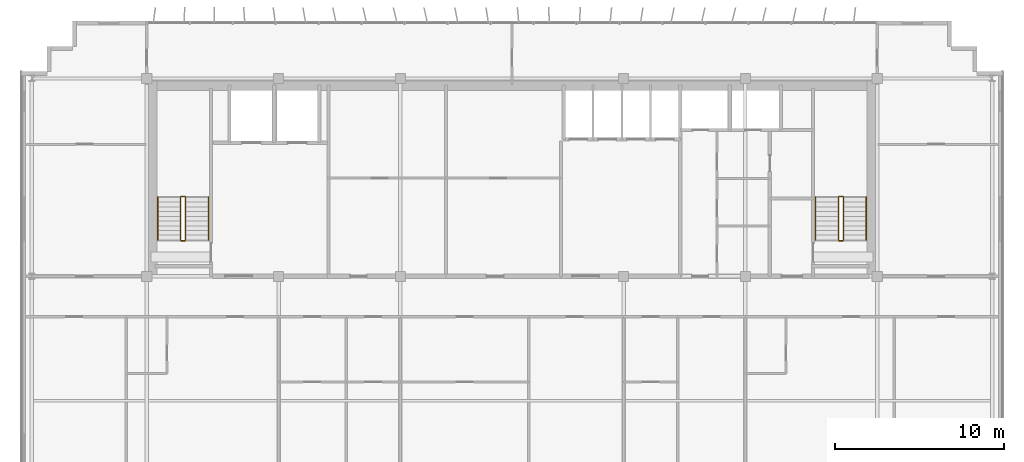
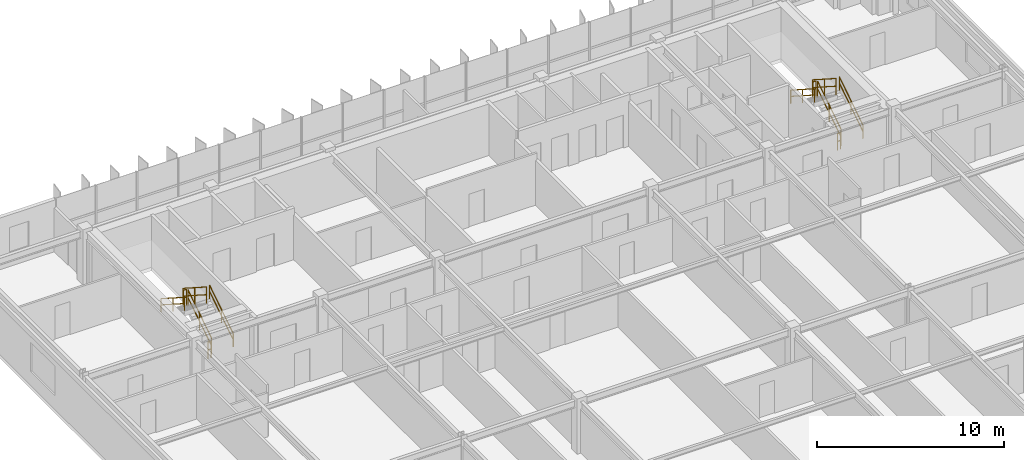
# One storey, part 22 of 22: 12 railings.
"""IFC4 building model written with IfcOpenShell, lengths in metres."""

from ifc_helpers import new_model, si_unit, direction, frame, origin, origin_2d, place, context, subcontext, project, spatial, rectangle, extrude, material, type_object, element, save


model = new_model("IFC4")

# Units and contexts
model_context = context("Model", 3, precision=1e-05, world=origin(), true_north=direction((0.0, 1.0)))
body_context = subcontext(model_context, "Body", "Model", "MODEL_VIEW")
ifc_project = project(units=[si_unit("LENGTHUNIT", "METRE"), si_unit("AREAUNIT", "SQUARE_METRE"), si_unit("VOLUMEUNIT", "CUBIC_METRE"), si_unit("PLANEANGLEUNIT", "RADIAN"), si_unit("MASSUNIT", "GRAM", prefix="KILO")], contexts=[model_context])

# Site, building, storey
site_placement = place(None, origin())
site = spatial("IfcSite", under=ifc_project, at=site_placement, CompositionType="ELEMENT")
building_placement = place(site_placement, origin())
building = spatial("IfcBuilding", under=site, at=building_placement, Name="Trelvane Seafront Commons", CompositionType="ELEMENT")
storey_placement = place(building_placement, frame((0.0, 0.0, 284.699951171875)))
storey = spatial("IfcBuildingStorey", under=building, at=storey_placement, Name="L74", CompositionType="ELEMENT", Elevation=284.699951171875)

# Railings
ifc_material = material(Name="Stainless steel balustrade", Category="steel")
railing_type_1 = type_object("IfcRailingType", Name="ARCH-SRL-GUARD", PredefinedType="GUARDRAIL", material=ifc_material)
railing_1_placement = place(storey_placement, frame((17.89990234375, 35.550048828125, 0.179931640625)))
element("IfcRailing", 1, at=railing_1_placement, inside=storey, type_object=railing_type_1, Name="L74 ST-1 stair guard 1", PredefinedType="GUARDRAIL", context=body_context, shape_type="SweptSolid", body=[
    extrude(rectangle(XDim=0.048095703125, YDim=0.048095703125, at=origin_2d()), frame((0.0, 0.0, 1.076171875), z_axis=(0.0, 0.841162588446, 0.540782303519), x_axis=(-1.0, 0.0, 0.0)), (0.0, 0.0, 1.0), 2.995849609375),
    extrude(rectangle(XDim=0.048095703125, YDim=0.048095703125, at=origin_2d()), frame((0.0, 0.0, 0.572021484375), z_axis=(0.0, 0.841162588446, 0.540782303519), x_axis=(-1.0, 0.0, 0.0)), (0.0, 0.0, 1.0), 2.995849609375),
    extrude(rectangle(XDim=0.0419921875, YDim=0.0419921875, at=origin_2d()), origin(), (0.0, 0.0, 1.0), 1.076171875),
    extrude(rectangle(XDim=0.0419921875, YDim=0.0419921875, at=origin_2d()), frame((0.0, 1.260009765625, 0.81005859375)), (0.0, 0.0, 1.0), 1.076171875),
    extrude(rectangle(XDim=0.0419921875, YDim=0.0419921875, at=origin_2d()), frame((0.0, 2.52001953125, 1.6201171875)), (0.0, 0.0, 1.0), 1.076171875),
])
railing_2_placement = place(storey_placement, frame((17.85009765625, 38.1201171875, 1.800048828125)))
element("IfcRailing", 2, at=railing_2_placement, inside=storey, type_object=railing_type_1, Name="L74 ST-1 stair guard 2", PredefinedType="GUARDRAIL", context=body_context, shape_type="SweptSolid", body=[
    extrude(rectangle(XDim=0.048095703125, YDim=0.048095703125, at=origin_2d()), frame((0.0, 0.0, 1.076171875), z_axis=(-1.0, 0.0, 0.0), x_axis=(0.0, -1.0, 0.0)), (0.0, 0.0, 1.0), 0.2001953125),
    extrude(rectangle(XDim=0.048095703125, YDim=0.048095703125, at=origin_2d()), frame((0.0, 0.0, 0.572021484375), z_axis=(-1.0, 0.0, 0.0), x_axis=(0.0, -1.0, 0.0)), (0.0, 0.0, 1.0), 0.2001953125),
    extrude(rectangle(XDim=0.0419921875, YDim=0.0419921875, at=origin_2d()), origin(), (0.0, 0.0, 1.0), 1.076171875),
    extrude(rectangle(XDim=0.0419921875, YDim=0.0419921875, at=origin_2d()), frame((-0.2001953125, 0.0, 0.0)), (0.0, 0.0, 1.0), 1.076171875),
])
railing_3_placement = place(storey_placement, frame((17.60009765625, 38.070068359375, 1.97998046875)))
element("IfcRailing", 3, at=railing_3_placement, inside=storey, type_object=railing_type_1, Name="L74 ST-1 stair guard 3", PredefinedType="GUARDRAIL", context=body_context, shape_type="SweptSolid", body=[
    extrude(rectangle(XDim=0.048095703125, YDim=0.048095703125, at=origin_2d()), frame((0.0, 0.0, 1.076171875), z_axis=(0.0, -0.841162588446, 0.540782303519), x_axis=(1.0, 0.0, 0.0)), (0.0, 0.0, 1.0), 2.995849609375),
    extrude(rectangle(XDim=0.048095703125, YDim=0.048095703125, at=origin_2d()), frame((0.0, 0.0, 0.572021484375), z_axis=(0.0, -0.841162588446, 0.540782303519), x_axis=(1.0, 0.0, 0.0)), (0.0, 0.0, 1.0), 2.995849609375),
    extrude(rectangle(XDim=0.0419921875, YDim=0.0419921875, at=origin_2d()), origin(), (0.0, 0.0, 1.0), 1.076171875),
    extrude(rectangle(XDim=0.0419921875, YDim=0.0419921875, at=origin_2d()), frame((0.0, -1.260009765625, 0.81005859375)), (0.0, 0.0, 1.0), 1.076171875),
    extrude(rectangle(XDim=0.0419921875, YDim=0.0419921875, at=origin_2d()), frame((0.0, -2.52001953125, 1.6201171875)), (0.0, 0.0, 1.0), 1.076171875),
])
railing_4_placement = place(storey_placement, frame((17.85009765625, 35.5, 0.0)))
element("IfcRailing", 4, at=railing_4_placement, inside=storey, type_object=railing_type_1, Name="L74 ST-1 stair guard 4", PredefinedType="GUARDRAIL", context=body_context, shape_type="SweptSolid", body=[
    extrude(rectangle(XDim=0.048095703125, YDim=0.048095703125, at=origin_2d()), frame((0.0, 0.0, 1.076171875), z_axis=(-1.0, 0.0, 0.0), x_axis=(0.0, -1.0, 0.0)), (0.0, 0.0, 1.0), 0.2001953125),
    extrude(rectangle(XDim=0.048095703125, YDim=0.048095703125, at=origin_2d()), frame((0.0, 0.0, 0.572021484375), z_axis=(-1.0, 0.0, 0.0), x_axis=(0.0, -1.0, 0.0)), (0.0, 0.0, 1.0), 0.2001953125),
    extrude(rectangle(XDim=0.0419921875, YDim=0.0419921875, at=origin_2d()), origin(), (0.0, 0.0, 1.0), 1.076171875),
    extrude(rectangle(XDim=0.0419921875, YDim=0.0419921875, at=origin_2d()), frame((-0.2001953125, 0.0, 0.0)), (0.0, 0.0, 1.0), 1.076171875),
])
railing_5_placement = place(storey_placement, frame((56.800048828125, 35.550048828125, 0.179931640625)))
element("IfcRailing", 5, at=railing_5_placement, inside=storey, type_object=railing_type_1, Name="L74 ST-2 stair guard 1", PredefinedType="GUARDRAIL", context=body_context, shape_type="SweptSolid", body=[
    extrude(rectangle(XDim=0.048095703125, YDim=0.048095703125, at=origin_2d()), frame((0.0, 0.0, 1.076171875), z_axis=(0.0, 0.841162588446, 0.540782303519), x_axis=(-1.0, 0.0, 0.0)), (0.0, 0.0, 1.0), 2.995849609375),
    extrude(rectangle(XDim=0.048095703125, YDim=0.048095703125, at=origin_2d()), frame((0.0, 0.0, 0.572021484375), z_axis=(0.0, 0.841162588446, 0.540782303519), x_axis=(-1.0, 0.0, 0.0)), (0.0, 0.0, 1.0), 2.995849609375),
    extrude(rectangle(XDim=0.0419921875, YDim=0.0419921875, at=origin_2d()), origin(), (0.0, 0.0, 1.0), 1.076171875),
    extrude(rectangle(XDim=0.0419921875, YDim=0.0419921875, at=origin_2d()), frame((0.0, 1.260009765625, 0.81005859375)), (0.0, 0.0, 1.0), 1.076171875),
    extrude(rectangle(XDim=0.0419921875, YDim=0.0419921875, at=origin_2d()), frame((0.0, 2.52001953125, 1.6201171875)), (0.0, 0.0, 1.0), 1.076171875),
])
railing_6_placement = place(storey_placement, frame((56.75, 38.1201171875, 1.800048828125)))
element("IfcRailing", 6, at=railing_6_placement, inside=storey, type_object=railing_type_1, Name="L74 ST-2 stair guard 2", PredefinedType="GUARDRAIL", context=body_context, shape_type="SweptSolid", body=[
    extrude(rectangle(XDim=0.048095703125, YDim=0.048095703125, at=origin_2d()), frame((0.0, 0.0, 1.076171875), z_axis=(-1.0, 0.0, 0.0), x_axis=(0.0, -1.0, 0.0)), (0.0, 0.0, 1.0), 0.199951171875),
    extrude(rectangle(XDim=0.048095703125, YDim=0.048095703125, at=origin_2d()), frame((0.0, 0.0, 0.572021484375), z_axis=(-1.0, 0.0, 0.0), x_axis=(0.0, -1.0, 0.0)), (0.0, 0.0, 1.0), 0.199951171875),
    extrude(rectangle(XDim=0.0419921875, YDim=0.0419921875, at=origin_2d()), origin(), (0.0, 0.0, 1.0), 1.076171875),
    extrude(rectangle(XDim=0.0419921875, YDim=0.0419921875, at=origin_2d()), frame((-0.199951171875, 0.0, 0.0)), (0.0, 0.0, 1.0), 1.076171875),
])
railing_7_placement = place(storey_placement, frame((56.5, 38.070068359375, 1.97998046875)))
element("IfcRailing", 7, at=railing_7_placement, inside=storey, type_object=railing_type_1, Name="L74 ST-2 stair guard 3", PredefinedType="GUARDRAIL", context=body_context, shape_type="SweptSolid", body=[
    extrude(rectangle(XDim=0.048095703125, YDim=0.048095703125, at=origin_2d()), frame((0.0, 0.0, 1.076171875), z_axis=(0.0, -0.841162588446, 0.540782303519), x_axis=(1.0, 0.0, 0.0)), (0.0, 0.0, 1.0), 2.995849609375),
    extrude(rectangle(XDim=0.048095703125, YDim=0.048095703125, at=origin_2d()), frame((0.0, 0.0, 0.572021484375), z_axis=(0.0, -0.841162588446, 0.540782303519), x_axis=(1.0, 0.0, 0.0)), (0.0, 0.0, 1.0), 2.995849609375),
    extrude(rectangle(XDim=0.0419921875, YDim=0.0419921875, at=origin_2d()), origin(), (0.0, 0.0, 1.0), 1.076171875),
    extrude(rectangle(XDim=0.0419921875, YDim=0.0419921875, at=origin_2d()), frame((0.0, -1.260009765625, 0.81005859375)), (0.0, 0.0, 1.0), 1.076171875),
    extrude(rectangle(XDim=0.0419921875, YDim=0.0419921875, at=origin_2d()), frame((0.0, -2.52001953125, 1.6201171875)), (0.0, 0.0, 1.0), 1.076171875),
])
railing_8_placement = place(storey_placement, frame((56.75, 35.5, 0.0)))
element("IfcRailing", 8, at=railing_8_placement, inside=storey, type_object=railing_type_1, Name="L74 ST-2 stair guard 4", PredefinedType="GUARDRAIL", context=body_context, shape_type="SweptSolid", body=[
    extrude(rectangle(XDim=0.048095703125, YDim=0.048095703125, at=origin_2d()), frame((0.0, 0.0, 1.076171875), z_axis=(-1.0, 0.0, 0.0), x_axis=(0.0, -1.0, 0.0)), (0.0, 0.0, 1.0), 0.199951171875),
    extrude(rectangle(XDim=0.048095703125, YDim=0.048095703125, at=origin_2d()), frame((0.0, 0.0, 0.572021484375), z_axis=(-1.0, 0.0, 0.0), x_axis=(0.0, -1.0, 0.0)), (0.0, 0.0, 1.0), 0.199951171875),
    extrude(rectangle(XDim=0.0419921875, YDim=0.0419921875, at=origin_2d()), origin(), (0.0, 0.0, 1.0), 1.076171875),
    extrude(rectangle(XDim=0.0419921875, YDim=0.0419921875, at=origin_2d()), frame((-0.199951171875, 0.0, 0.0)), (0.0, 0.0, 1.0), 1.076171875),
])
railing_type_2 = type_object("IfcRailingType", Name="ARCH-SRL-HAND", PredefinedType="HANDRAIL", material=ifc_material)
railing_9_placement = place(storey_placement, frame((19.25, 35.550048828125, 0.179931640625)))
element("IfcRailing", 9, at=railing_9_placement, inside=storey, type_object=railing_type_2, Name="L74 ST-1 stair handrail 1", PredefinedType="HANDRAIL", context=body_context, shape_type="SweptSolid", body=[
    extrude(rectangle(XDim=0.048095703125, YDim=0.048095703125, at=origin_2d()), frame((0.0, 0.0, 0.8759765625), z_axis=(0.0, 0.841162588446, 0.540782303519), x_axis=(-1.0, 0.0, 0.0)), (0.0, 0.0, 1.0), 2.995849609375),
    extrude(rectangle(XDim=0.048095703125, YDim=0.048095703125, at=origin_2d()), frame((0.0, 0.0, 0.468017578125), z_axis=(0.0, 0.841162588446, 0.540782303519), x_axis=(-1.0, 0.0, 0.0)), (0.0, 0.0, 1.0), 2.995849609375),
    extrude(rectangle(XDim=0.0419921875, YDim=0.0419921875, at=origin_2d()), origin(), (0.0, 0.0, 1.0), 0.8759765625),
    extrude(rectangle(XDim=0.0419921875, YDim=0.0419921875, at=origin_2d()), frame((0.0, 1.260009765625, 0.81005859375)), (0.0, 0.0, 1.0), 0.8759765625),
    extrude(rectangle(XDim=0.0419921875, YDim=0.0419921875, at=origin_2d()), frame((0.0, 2.52001953125, 1.6201171875)), (0.0, 0.0, 1.0), 0.8759765625),
])
railing_10_placement = place(storey_placement, frame((16.25, 38.070068359375, 1.97998046875)))
element("IfcRailing", 10, at=railing_10_placement, inside=storey, type_object=railing_type_2, Name="L74 ST-1 stair handrail 2", PredefinedType="HANDRAIL", context=body_context, shape_type="SweptSolid", body=[
    extrude(rectangle(XDim=0.048095703125, YDim=0.048095703125, at=origin_2d()), frame((0.0, 0.0, 0.8759765625), z_axis=(0.0, -0.841162588446, 0.540782303519), x_axis=(1.0, 0.0, 0.0)), (0.0, 0.0, 1.0), 2.995849609375),
    extrude(rectangle(XDim=0.048095703125, YDim=0.048095703125, at=origin_2d()), frame((0.0, 0.0, 0.468017578125), z_axis=(0.0, -0.841162588446, 0.540782303519), x_axis=(1.0, 0.0, 0.0)), (0.0, 0.0, 1.0), 2.995849609375),
    extrude(rectangle(XDim=0.0419921875, YDim=0.0419921875, at=origin_2d()), origin(), (0.0, 0.0, 1.0), 0.8759765625),
    extrude(rectangle(XDim=0.0419921875, YDim=0.0419921875, at=origin_2d()), frame((0.0, -1.260009765625, 0.81005859375)), (0.0, 0.0, 1.0), 0.8759765625),
    extrude(rectangle(XDim=0.0419921875, YDim=0.0419921875, at=origin_2d()), frame((0.0, -2.52001953125, 1.6201171875)), (0.0, 0.0, 1.0), 0.8759765625),
])
railing_11_placement = place(storey_placement, frame((58.14990234375, 35.550048828125, 0.179931640625)))
element("IfcRailing", 11, at=railing_11_placement, inside=storey, type_object=railing_type_2, Name="L74 ST-2 stair handrail 1", PredefinedType="HANDRAIL", context=body_context, shape_type="SweptSolid", body=[
    extrude(rectangle(XDim=0.048095703125, YDim=0.048095703125, at=origin_2d()), frame((0.0, 0.0, 0.8759765625), z_axis=(0.0, 0.841162588446, 0.540782303519), x_axis=(-1.0, 0.0, 0.0)), (0.0, 0.0, 1.0), 2.995849609375),
    extrude(rectangle(XDim=0.048095703125, YDim=0.048095703125, at=origin_2d()), frame((0.0, 0.0, 0.468017578125), z_axis=(0.0, 0.841162588446, 0.540782303519), x_axis=(-1.0, 0.0, 0.0)), (0.0, 0.0, 1.0), 2.995849609375),
    extrude(rectangle(XDim=0.0419921875, YDim=0.0419921875, at=origin_2d()), origin(), (0.0, 0.0, 1.0), 0.8759765625),
    extrude(rectangle(XDim=0.0419921875, YDim=0.0419921875, at=origin_2d()), frame((0.0, 1.260009765625, 0.81005859375)), (0.0, 0.0, 1.0), 0.8759765625),
    extrude(rectangle(XDim=0.0419921875, YDim=0.0419921875, at=origin_2d()), frame((0.0, 2.52001953125, 1.6201171875)), (0.0, 0.0, 1.0), 0.8759765625),
])
railing_12_placement = place(storey_placement, frame((55.14990234375, 38.070068359375, 1.97998046875)))
element("IfcRailing", 12, at=railing_12_placement, inside=storey, type_object=railing_type_2, Name="L74 ST-2 stair handrail 2", PredefinedType="HANDRAIL", context=body_context, shape_type="SweptSolid", body=[
    extrude(rectangle(XDim=0.048095703125, YDim=0.048095703125, at=origin_2d()), frame((0.0, 0.0, 0.8759765625), z_axis=(0.0, -0.841162588446, 0.540782303519), x_axis=(1.0, 0.0, 0.0)), (0.0, 0.0, 1.0), 2.995849609375),
    extrude(rectangle(XDim=0.048095703125, YDim=0.048095703125, at=origin_2d()), frame((0.0, 0.0, 0.468017578125), z_axis=(0.0, -0.841162588446, 0.540782303519), x_axis=(1.0, 0.0, 0.0)), (0.0, 0.0, 1.0), 2.995849609375),
    extrude(rectangle(XDim=0.0419921875, YDim=0.0419921875, at=origin_2d()), origin(), (0.0, 0.0, 1.0), 0.8759765625),
    extrude(rectangle(XDim=0.0419921875, YDim=0.0419921875, at=origin_2d()), frame((0.0, -1.260009765625, 0.81005859375)), (0.0, 0.0, 1.0), 0.8759765625),
    extrude(rectangle(XDim=0.0419921875, YDim=0.0419921875, at=origin_2d()), frame((0.0, -2.52001953125, 1.6201171875)), (0.0, 0.0, 1.0), 0.8759765625),
])

save(model, "model.ifc")
